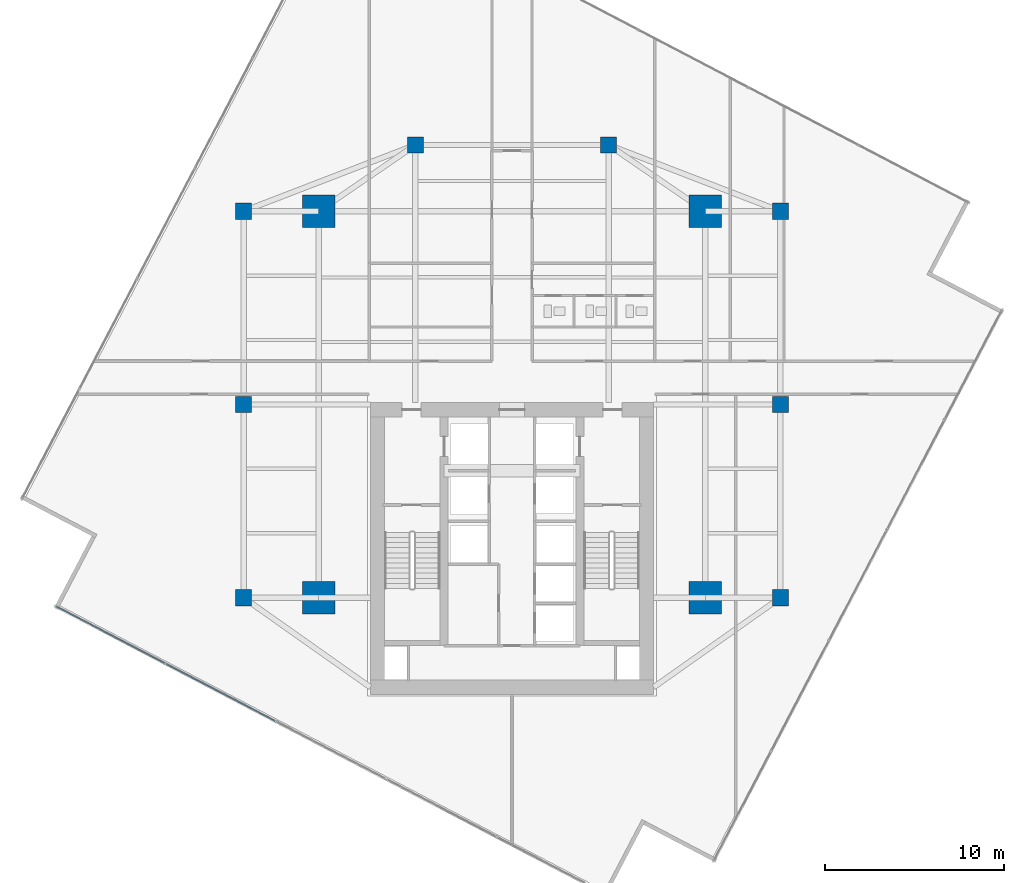
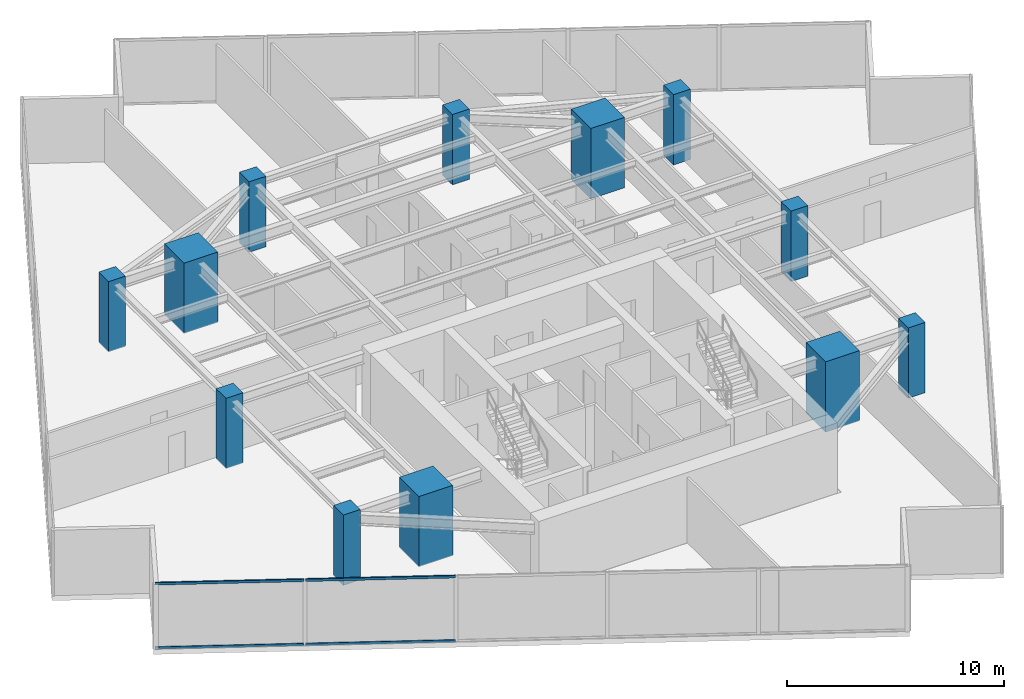
# One storey, part 1 of 27: 12 columns, 4 members, 1 element without a shape of its own.
"""IFC4 building model written with IfcOpenShell, lengths in metres."""

from ifc_helpers import new_model, si_unit, direction, frame, origin, origin_2d, place, context, subcontext, project, spatial, rectangle, hollow_rectangle, extrude, source, transform, mapped, material, material_profile, profile_set, type_object, type_shapes, element, aggregate, save


model = new_model("IFC4")

# Units and contexts
model_context = context("Model", 3, precision=1e-05, world=origin(), true_north=direction((0.0, 1.0)))
body_context = subcontext(model_context, "Body", "Model", "MODEL_VIEW")
ifc_project = project(units=[si_unit("LENGTHUNIT", "METRE"), si_unit("AREAUNIT", "SQUARE_METRE"), si_unit("VOLUMEUNIT", "CUBIC_METRE"), si_unit("PLANEANGLEUNIT", "RADIAN"), si_unit("MASSUNIT", "GRAM", prefix="KILO")], contexts=[model_context])

# Site, building, storey
site_placement = place(None, origin())
site = spatial("IfcSite", under=ifc_project, at=site_placement, CompositionType="ELEMENT")
building_placement = place(site_placement, origin())
building = spatial("IfcBuilding", under=site, at=building_placement, Name="Krantzveldt Concourse Tower", CompositionType="ELEMENT")
storey_placement = place(building_placement, frame((0.0, 0.0, 150.14990234375)))
storey = spatial("IfcBuildingStorey", under=building, at=storey_placement, Name="L36", CompositionType="ELEMENT", Elevation=150.14990234375)

# Columns
ifc_material_1 = material(Name="Concrete C50/60", Category="concrete")
ifc_material_profile_1 = material_profile(ifc_material_1, rectangle(XDim=1.800048828125, YDim=1.800048828125, at=origin_2d()), Name="Concrete C50/60", Category="concrete")
ifc_profile_set_1 = profile_set([ifc_material_profile_1], Name="Concrete C50/60 - RC 1800x1800")
column_type_1 = type_object("IfcColumnType", Name="COL-MC-1800", PredefinedType="USERDEFINED", material=ifc_profile_set_1)
shared_shape_1 = source(origin(), body_context, "Body", "SweptSolid", [
    extrude(rectangle(XDim=1.800048828125, YDim=1.800048828125, at=origin_2d()), origin(), (0.0, 0.0, 1.0), 3.9501953125),
])
type_shapes(column_type_1, [shared_shape_1])
for number, where, z_axis, x_axis, name in (
    (1, (25.199951171875, 15.89990234375, 0.0), (0.0, 0.0, 1.0), (1.0, 0.0, 0.0), "MC-SW-L36"),
    (2, (46.800048828125, 15.89990234375, 0.0), (0.0, 0.0, 1.0), (1.0, 0.0, 0.0), "MC-SE-L36"),
    (3, (46.800048828125, 37.5, 0.0), (0.0, 0.0, 1.0), (1.0, 0.0, 0.0), "MC-NE-L36"),
    (4, (25.199951171875, 37.5, 0.0), (0.0, 0.0, 1.0), (1.0, 0.0, 0.0), "MC-NW-L36"),
):
    element("IfcColumn", number, at=place(storey_placement, frame(where, z_axis=z_axis, x_axis=x_axis)), inside=storey, type_object=column_type_1, Name=name, ObjectType="MEGA COLUMN", PredefinedType="USERDEFINED", context=body_context, shape_type="MappedRepresentation", body=[
        mapped(shared_shape_1, transform((0.0, 0.0, 0.0), x_axis=(1.0, 0.0, 0.0), y_axis=(0.0, 1.0, 0.0), z_axis=(0.0, 0.0, 1.0), scale=1.0)),
    ])
ifc_material_profile_2 = material_profile(ifc_material_1, rectangle(XDim=0.89990234375, YDim=0.89990234375, at=origin_2d()), Name="Concrete C50/60", Category="concrete")
ifc_profile_set_2 = profile_set([ifc_material_profile_2], Name="Concrete C50/60 - RC 900x900")
column_type_2 = type_object("IfcColumnType", Name="COL-C-Z3", PredefinedType="COLUMN", material=ifc_profile_set_2)
shared_shape_2 = source(origin(), body_context, "Body", "SweptSolid", [
    extrude(rectangle(XDim=0.89990234375, YDim=0.89990234375, at=origin_2d()), origin(), (0.0, 0.0, 1.0), 3.9501953125),
])
type_shapes(column_type_2, [shared_shape_2])
for number, where, z_axis, x_axis, name in (
    (5, (21.0, 15.89990234375, 0.0), (0.0, 0.0, 1.0), (1.0, 0.0, 0.0), "PC-R01-L36"),
    (6, (21.0, 26.699951171875, 0.0), (0.0, 0.0, 1.0), (1.0, 0.0, 0.0), "PC-R02-L36"),
    (7, (21.0, 37.5, 0.0), (0.0, 0.0, 1.0), (1.0, 0.0, 0.0), "PC-R03-L36"),
    (8, (30.60009765625, 41.199951171875, 0.0), (0.0, 0.0, 1.0), (1.0, 0.0, 0.0), "PC-R04-L36"),
    (9, (41.39990234375, 41.199951171875, 0.0), (0.0, 0.0, 1.0), (1.0, 0.0, 0.0), "PC-R05-L36"),
    (10, (51.0, 37.5, 0.0), (0.0, 0.0, 1.0), (1.0, 0.0, 0.0), "PC-R06-L36"),
    (11, (51.0, 26.699951171875, 0.0), (0.0, 0.0, 1.0), (1.0, 0.0, 0.0), "PC-R07-L36"),
    (12, (51.0, 15.89990234375, 0.0), (0.0, 0.0, 1.0), (1.0, 0.0, 0.0), "PC-R08-L36"),
):
    element("IfcColumn", number, at=place(storey_placement, frame(where, z_axis=z_axis, x_axis=x_axis)), inside=storey, type_object=column_type_2, Name=name, PredefinedType="COLUMN", context=body_context, shape_type="MappedRepresentation", body=[
        mapped(shared_shape_2, transform((0.0, 0.0, 0.0), x_axis=(1.0, 0.0, 0.0), y_axis=(0.0, 1.0, 0.0), z_axis=(0.0, 0.0, 1.0), scale=1.0)),
    ])

# Curtain wall, members
ifc_material_2 = material(Name="Anodised aluminium 6063-T6", Category="aluminium")
curtain_wall_type = type_object("IfcCurtainWallType", Name="CW3", PredefinedType="USERDEFINED", material=ifc_material_2)
curtain_wall_placement = place(storey_placement, origin())
curtain_wall = element("IfcCurtainWall", 13, at=curtain_wall_placement, inside=storey, type_object=curtain_wall_type, Name="CW-L36-F04", ObjectType="UNITISED CURTAIN WALL", PredefinedType="USERDEFINED")
ifc_material_profile_3 = material_profile(ifc_material_2, hollow_rectangle(XDim=0.070068359375, YDim=0.139892578125, WallThickness=0.0048828125, at=origin_2d()), Name="Anodised aluminium 6063-T6", Category="aluminium")
ifc_profile_set_3 = profile_set([ifc_material_profile_3], Name="Anodised aluminium 6063-T6 - ALU-TRAN 140x70x5")
member_type = type_object("IfcMemberType", Name="CW-TRN-150", PredefinedType="USERDEFINED", material=ifc_profile_set_3)
shared_shape_3 = source(origin(), body_context, "Body", "SweptSolid", [
    extrude(hollow_rectangle(XDim=0.070068359375, YDim=0.139892578125, WallThickness=0.0048828125, at=origin_2d()), origin(), (0.0, 0.0, 1.0), 6.85498046875),
])
member_1_placement = place(storey_placement, frame((10.53271484375, 15.411865234375, 0.03515625), z_axis=(0.886004354252, -0.463676917957, 0.0), x_axis=(0.463676917957, 0.886004354252, 0.0)))
member_1 = element("IfcMember", 14, at=member_1_placement, type_object=member_type, Name="CW-Z34 transom 1.1", ObjectType="TRANSOM", PredefinedType="USERDEFINED", context=body_context, shape_type="MappedRepresentation", body=[
    mapped(shared_shape_3, transform((0.0, 0.0, 0.0), x_axis=(1.0, 0.0, 0.0), y_axis=(0.0, 1.0, 0.0), z_axis=(0.0, 0.0, 1.0), scale=1.0)),
])
member_2_placement = place(storey_placement, frame((10.53271484375, 15.411865234375, 3.635009765625), z_axis=(0.886004354252, -0.463676917957, 0.0), x_axis=(0.463676917957, 0.886004354252, 0.0)))
member_2 = element("IfcMember", 15, at=member_2_placement, type_object=member_type, Name="CW-Z34 transom 1.2", ObjectType="TRANSOM", PredefinedType="USERDEFINED", context=body_context, shape_type="MappedRepresentation", body=[
    mapped(shared_shape_3, transform((0.0, 0.0, 0.0), x_axis=(1.0, 0.0, 0.0), y_axis=(0.0, 1.0, 0.0), z_axis=(0.0, 0.0, 1.0), scale=1.0)),
])
shared_shape_4 = source(origin(), body_context, "Body", "SweptSolid", [
    extrude(hollow_rectangle(XDim=0.070068359375, YDim=0.139892578125, WallThickness=0.0048828125, at=origin_2d()), origin(), (0.0, 0.0, 1.0), 6.889892578125),
])
type_shapes(member_type, [shared_shape_3, shared_shape_4])
member_3_placement = place(storey_placement, frame((16.668212890625, 12.200927734375, 0.03515625), z_axis=(0.885996544559, -0.46369184059, 0.0), x_axis=(0.46369184059, 0.885996544559, 0.0)))
member_3 = element("IfcMember", 16, at=member_3_placement, type_object=member_type, Name="CW-Z34 transom 2.1", ObjectType="TRANSOM", PredefinedType="USERDEFINED", context=body_context, shape_type="MappedRepresentation", body=[
    mapped(shared_shape_4, transform((0.0, 0.0, 0.0), x_axis=(1.0, 0.0, 0.0), y_axis=(0.0, 1.0, 0.0), z_axis=(0.0, 0.0, 1.0), scale=1.0)),
])
member_4_placement = place(storey_placement, frame((16.668212890625, 12.200927734375, 3.635009765625), z_axis=(0.885996544559, -0.46369184059, 0.0), x_axis=(0.46369184059, 0.885996544559, 0.0)))
member_4 = element("IfcMember", 17, at=member_4_placement, type_object=member_type, Name="CW-Z34 transom 2.2", ObjectType="TRANSOM", PredefinedType="USERDEFINED", context=body_context, shape_type="MappedRepresentation", body=[
    mapped(shared_shape_4, transform((0.0, 0.0, 0.0), x_axis=(1.0, 0.0, 0.0), y_axis=(0.0, 1.0, 0.0), z_axis=(0.0, 0.0, 1.0), scale=1.0)),
])
aggregate(curtain_wall, [member_1, member_2, member_3, member_4])

save(model, "model.ifc")
